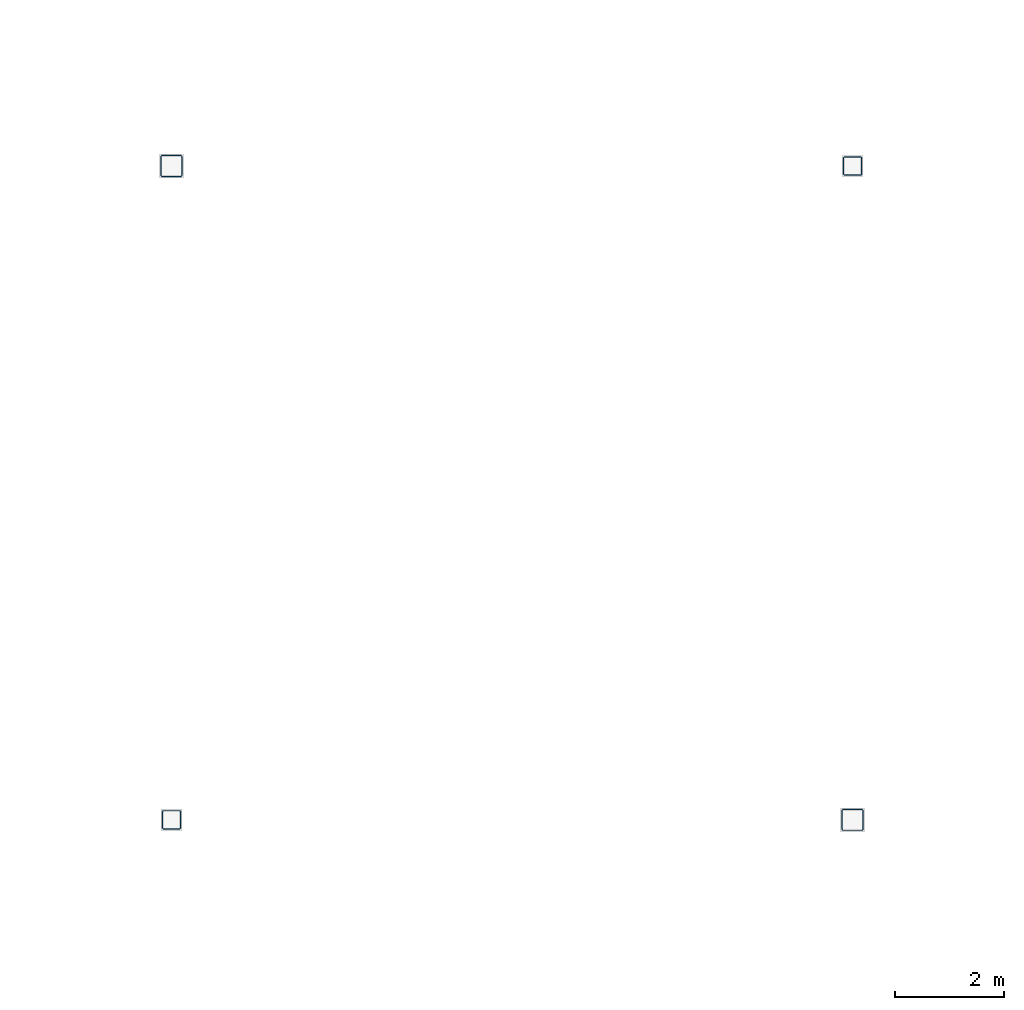
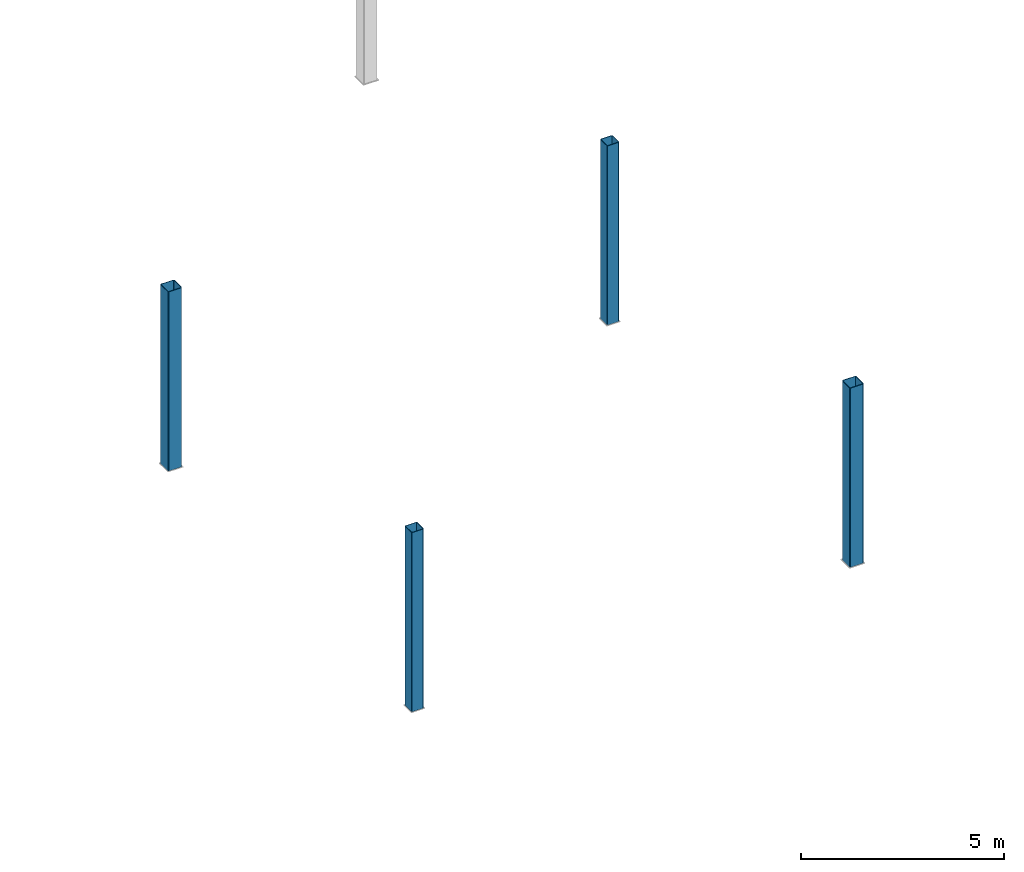
# One storey, part 16 of 76: 4 columns.
"""IFC4 building model written with IfcOpenShell, lengths in metres."""

from ifc_helpers import new_model, si_unit, direction, frame, origin, origin_2d, place, context, subcontext, project, spatial, hollow_rectangle, extrude, material, material_profile, profile_set, type_object, element, save


model = new_model("IFC4")

# Units and contexts
model_context = context("Model", 3, precision=1e-05, world=origin(), true_north=direction((0.0, 1.0)))
body_context = subcontext(model_context, "Body", "Model", "MODEL_VIEW")
ifc_project = project(units=[si_unit("LENGTHUNIT", "METRE"), si_unit("AREAUNIT", "SQUARE_METRE"), si_unit("VOLUMEUNIT", "CUBIC_METRE"), si_unit("PLANEANGLEUNIT", "RADIAN"), si_unit("MASSUNIT", "GRAM", prefix="KILO")], contexts=[model_context])

# Site, building, storey
site_placement = place(None, origin())
site = spatial("IfcSite", under=ifc_project, at=site_placement, CompositionType="ELEMENT")
building_placement = place(site_placement, origin())
building = spatial("IfcBuilding", under=site, at=building_placement, Name="Kazenohara Klinker Stadium", CompositionType="ELEMENT")
storey_placement = place(building_placement, frame((0.0, 0.0, 25.800048828125)))
storey = spatial("IfcBuildingStorey", under=building, at=storey_placement, Name="L05", CompositionType="ELEMENT", Elevation=25.800048828125)

# Columns
ifc_material = material(Name="Steel S355", Category="steel")
ifc_material_profile_1 = material_profile(ifc_material, hollow_rectangle(XDim=0.39990234375, YDim=0.39990234375, WallThickness=0.01611328125, InnerFilletRadius=0.01611328125, OuterFilletRadius=0.031982421875, at=origin_2d()), Name="SHS-400x400x16")
ifc_profile_set_1 = profile_set([ifc_material_profile_1], Name="Steel S355")
column_type_1 = type_object("IfcColumnType", Name="COL-ST01", PredefinedType="COLUMN", material=ifc_profile_set_1)
for number, where, z_axis, x_axis, name in (
    (1, (175.0, 96.0, 0.0), (0.0, 0.0, 1.0), (1.0, 0.0, 0.0), "Canopy ring support column SC01 L05 15/J"),
    (2, (187.5, 84.0, 0.0), (0.0, 0.0, 1.0), (1.0, 0.0, 0.0), "Canopy ring support column SC01 L05 16/H"),
):
    element("IfcColumn", number, at=place(storey_placement, frame(where, z_axis=z_axis, x_axis=x_axis)), inside=storey, type_object=column_type_1, Name=name, PredefinedType="COLUMN", context=body_context, shape_type="SweptSolid", body=[
        extrude(hollow_rectangle(XDim=0.39990234375, YDim=0.39990234375, WallThickness=0.01611328125, InnerFilletRadius=0.01611328125, OuterFilletRadius=0.031982421875, at=origin_2d()), origin(), (0.0, 0.0, 1.0), 5.39990234375),
    ])
ifc_material_profile_2 = material_profile(ifc_material, hollow_rectangle(XDim=0.35009765625, YDim=0.35009765625, WallThickness=0.01611328125, InnerFilletRadius=0.01611328125, OuterFilletRadius=0.031982421875, at=origin_2d()), Name="SHS-350x350x16")
ifc_profile_set_2 = profile_set([ifc_material_profile_2], Name="Steel S355")
column_type_2 = type_object("IfcColumnType", Name="COL-ST02", PredefinedType="COLUMN", material=ifc_profile_set_2)
for number, where, z_axis, x_axis, name in (
    (3, (175.0, 84.0, 0.0), (0.0, 0.0, 1.0), (1.0, 0.0, 0.0), "Canopy ring support column SC02 L05 15/H"),
    (4, (187.5, 96.0, 0.0), (0.0, 0.0, 1.0), (1.0, 0.0, 0.0), "Canopy ring support column SC02 L05 16/J"),
):
    element("IfcColumn", number, at=place(storey_placement, frame(where, z_axis=z_axis, x_axis=x_axis)), inside=storey, type_object=column_type_2, Name=name, PredefinedType="COLUMN", context=body_context, shape_type="SweptSolid", body=[
        extrude(hollow_rectangle(XDim=0.35009765625, YDim=0.35009765625, WallThickness=0.01611328125, InnerFilletRadius=0.01611328125, OuterFilletRadius=0.031982421875, at=origin_2d()), origin(), (0.0, 0.0, 1.0), 5.39990234375),
    ])

save(model, "model.ifc")
